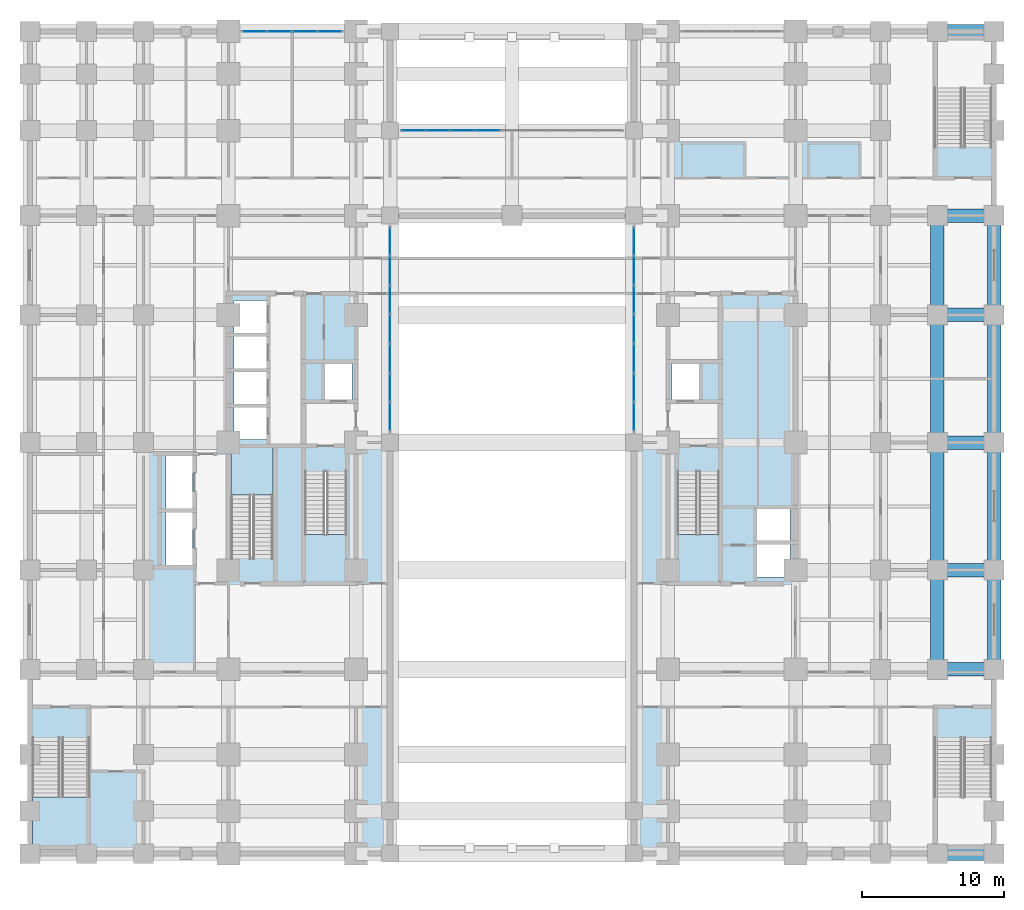
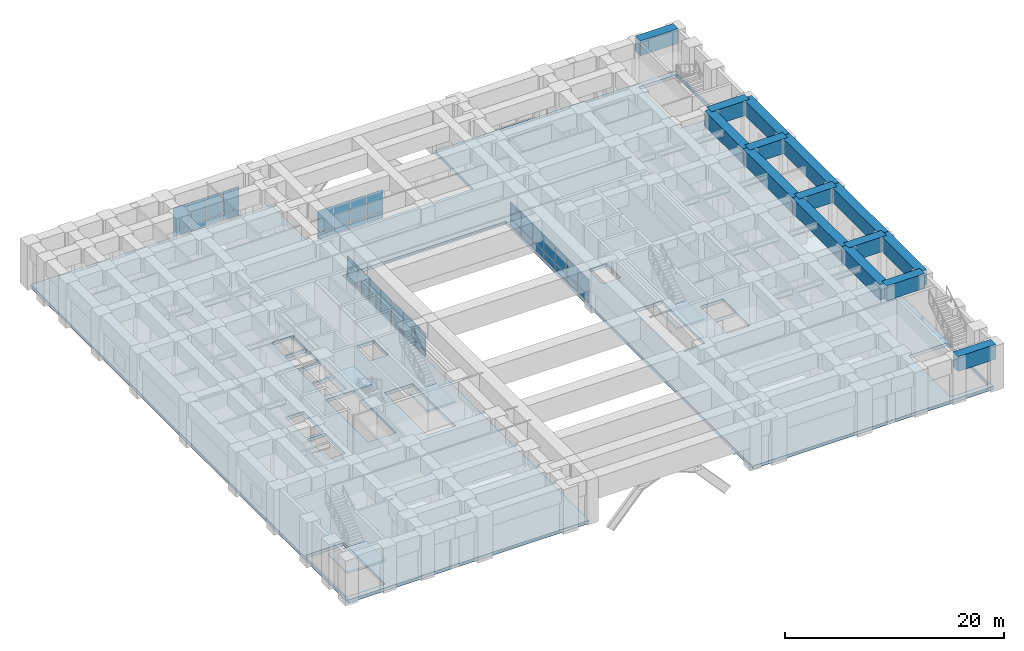
# One storey, part 9 of 24: 44 plates, 15 beams, 5 slabs, 8 elements without a shape of their own.
"""IFC4 building model written with IfcOpenShell, lengths in metres."""

from ifc_helpers import new_model, si_unit, direction, frame, origin, origin_2d, place, context, subcontext, project, spatial, polyline, rectangle, outline, extrude, material, layer, layer_set, material_profile, profile_set, type_object, element, aggregate, save


model = new_model("IFC4")

# Units and contexts
model_context = context("Model", 3, precision=1e-05, world=origin(), true_north=direction((0.0, 1.0)))
body_context = subcontext(model_context, "Body", "Model", "MODEL_VIEW")
ifc_project = project(units=[si_unit("LENGTHUNIT", "METRE"), si_unit("AREAUNIT", "SQUARE_METRE"), si_unit("VOLUMEUNIT", "CUBIC_METRE"), si_unit("PLANEANGLEUNIT", "RADIAN"), si_unit("MASSUNIT", "GRAM", prefix="KILO")], contexts=[model_context])

# Site, building, storey
site_placement = place(None, origin())
site = spatial("IfcSite", under=ifc_project, at=site_placement, CompositionType="ELEMENT")
building_placement = place(site_placement, origin())
building = spatial("IfcBuilding", under=site, at=building_placement, Name="Zulmaris Gate Convention Tower", CompositionType="ELEMENT")
storey_placement = place(building_placement, frame((0.0, 0.0, 16.320068359375)))
storey = spatial("IfcBuildingStorey", under=building, at=storey_placement, Name="L03", CompositionType="ELEMENT", Elevation=16.320068359375)

# Beams
ifc_material_1 = material(Name="Concrete C80/95", Category="concrete")
ifc_material_profile = material_profile(ifc_material_1, rectangle(XDim=0.949951171875, YDim=1.64990234375, at=origin_2d()), Name="RC TRANSFER 950x1650")
ifc_profile_set = profile_set([ifc_material_profile], Name="Concrete C80/95")
beam_type = type_object("IfcBeamType", Name="BM-XFER1650", PredefinedType="BEAM", material=ifc_profile_set)
for number, where, z_axis, x_axis, name in (
    (1, (30.0, -29.0, 4.1650390625), (1.0, 0.0, 0.0), (0.0, 1.0, 0.0), "L03 Beam XFRNGX-L03--29.0-13"),
    (2, (30.0, 29.0, 4.1650390625), (1.0, 0.0, 0.0), (0.0, 1.0, 0.0), "L03 Beam XFRNGX-L03-+29.0-13"),
):
    element("IfcBeam", number, at=place(storey_placement, frame(where, z_axis=z_axis, x_axis=x_axis)), inside=storey, type_object=beam_type, Name=name, PredefinedType="BEAM", context=body_context, shape_type="SweptSolid", body=[
        extrude(rectangle(XDim=0.949951171875, YDim=1.64990234375, at=origin_2d()), origin(), (0.0, 0.0, 1.0), 4.0),
    ])
beam_1_placement = place(storey_placement, frame((34.0, -16.0, 4.1650390625), z_axis=(0.0, 1.0, 0.0), x_axis=(-1.0, 0.0, 0.0)))
element("IfcBeam", 3, at=beam_1_placement, inside=storey, type_object=beam_type, Name="L03 Beam XFRNGY-L03-+34.0-4", PredefinedType="BEAM", context=body_context, shape_type="SweptSolid", body=[
    extrude(rectangle(XDim=0.949951171875, YDim=1.64990234375, at=origin_2d()), origin(), (0.0, 0.0, 1.0), 7.0),
])
for number, where, z_axis, x_axis, name in (
    (4, (34.0, -9.0, 4.1650390625), (0.0, 1.0, 0.0), (-1.0, 0.0, 0.0), "L03 Beam XFRNGY-L03-+34.0-5"),
    (5, (34.0, 0.0, 4.1650390625), (0.0, 1.0, 0.0), (-1.0, 0.0, 0.0), "L03 Beam XFRNGY-L03-+34.0-6"),
):
    element("IfcBeam", number, at=place(storey_placement, frame(where, z_axis=z_axis, x_axis=x_axis)), inside=storey, type_object=beam_type, Name=name, PredefinedType="BEAM", context=body_context, shape_type="SweptSolid", body=[
        extrude(rectangle(XDim=0.949951171875, YDim=1.64990234375, at=origin_2d()), origin(), (0.0, 0.0, 1.0), 9.0),
    ])
for number, where, z_axis, x_axis, name in (
    (6, (34.0, 9.0, 4.1650390625), (0.0, 1.0, 0.0), (-1.0, 0.0, 0.0), "L03 Beam XFRNGY-L03-+34.0-7"),
    (7, (30.0, -16.0, 4.1650390625), (0.0, 1.0, 0.0), (-1.0, 0.0, 0.0), "L03 Beam XFSPY-L03-+30.0-2"),
):
    element("IfcBeam", number, at=place(storey_placement, frame(where, z_axis=z_axis, x_axis=x_axis)), inside=storey, type_object=beam_type, Name=name, PredefinedType="BEAM", context=body_context, shape_type="SweptSolid", body=[
        extrude(rectangle(XDim=0.949951171875, YDim=1.64990234375, at=origin_2d()), origin(), (0.0, 0.0, 1.0), 7.0),
    ])
for number, where, z_axis, x_axis, name in (
    (8, (30.0, -9.0, 4.1650390625), (0.0, 1.0, 0.0), (-1.0, 0.0, 0.0), "L03 Beam XFSPY-L03-+30.0-3"),
    (9, (30.0, 0.0, 4.1650390625), (0.0, 1.0, 0.0), (-1.0, 0.0, 0.0), "L03 Beam XFSPY-L03-+30.0-4"),
):
    element("IfcBeam", number, at=place(storey_placement, frame(where, z_axis=z_axis, x_axis=x_axis)), inside=storey, type_object=beam_type, Name=name, PredefinedType="BEAM", context=body_context, shape_type="SweptSolid", body=[
        extrude(rectangle(XDim=0.949951171875, YDim=1.64990234375, at=origin_2d()), origin(), (0.0, 0.0, 1.0), 9.0),
    ])
beam_2_placement = place(storey_placement, frame((30.0, 9.0, 4.1650390625), z_axis=(0.0, 1.0, 0.0), x_axis=(-1.0, 0.0, 0.0)))
element("IfcBeam", 10, at=beam_2_placement, inside=storey, type_object=beam_type, Name="L03 Beam XFSPY-L03-+30.0-5", PredefinedType="BEAM", context=body_context, shape_type="SweptSolid", body=[
    extrude(rectangle(XDim=0.949951171875, YDim=1.64990234375, at=origin_2d()), origin(), (0.0, 0.0, 1.0), 7.0),
])
for number, where, z_axis, x_axis, name in (
    (11, (30.0, -16.0, 4.1650390625), (1.0, 0.0, 0.0), (0.0, 1.0, 0.0), "L03 Beam XFSPX-L03--16.0-11"),
    (12, (30.0, -9.0, 4.1650390625), (1.0, 0.0, 0.0), (0.0, 1.0, 0.0), "L03 Beam XFSPX-L03--9.0-11"),
    (13, (30.0, 0.0, 4.1650390625), (1.0, 0.0, 0.0), (0.0, 1.0, 0.0), "L03 Beam XFSPX-L03-+0.0-11"),
    (14, (30.0, 9.0, 4.1650390625), (1.0, 0.0, 0.0), (0.0, 1.0, 0.0), "L03 Beam XFSPX-L03-+9.0-11"),
    (15, (30.0, 16.0, 4.1650390625), (1.0, 0.0, 0.0), (0.0, 1.0, 0.0), "L03 Beam XFSPX-L03-+16.0-12"),
):
    element("IfcBeam", number, at=place(storey_placement, frame(where, z_axis=z_axis, x_axis=x_axis)), inside=storey, type_object=beam_type, Name=name, PredefinedType="BEAM", context=body_context, shape_type="SweptSolid", body=[
        extrude(rectangle(XDim=0.949951171875, YDim=1.64990234375, at=origin_2d()), origin(), (0.0, 0.0, 1.0), 4.0),
    ])

# Curtain wall, plates
ifc_material_2 = material(Name="Anodised Aluminium", Category="aluminium")
curtain_wall_type_1 = type_object("IfcCurtainWallType", Name="CW-02", PredefinedType="NOTDEFINED", material=ifc_material_2)
curtain_wall_1_placement = place(storey_placement, origin())
curtain_wall_1 = element("IfcCurtainWall", 16, at=curtain_wall_1_placement, inside=storey, type_object=curtain_wall_type_1, Name="CW-02 CW02-L03-WL_0", PredefinedType="NOTDEFINED")
ifc_material_3 = material(Name="Low-E Double Glazing", Category="glass")
ifc_layer_1 = layer(ifc_material_3, 0.028076171875, Name="Low-E Double Glazing")
ifc_layer_set_1 = layer_set([ifc_layer_1], Name="Low-E Double Glazing")
plate_type_1 = type_object("IfcPlateType", Name="CW-02-VISION", PredefinedType="CURTAIN_PANEL", material=ifc_layer_set_1)
plate_1_placement = place(storey_placement, frame((-8.60009765625, 1.81689453125, 0.08984375), z_axis=(0.0, 0.0, 1.0), x_axis=(0.0, 1.0, 0.0)))
plate_1 = element("IfcPlate", 17, at=plate_1_placement, type_object=plate_type_1, Name="CW-02 panel 1.1", PredefinedType="CURTAIN_PANEL", context=body_context, shape_type="SweptSolid", body=[
    extrude(rectangle(XDim=1.93359375, YDim=0.028076171875, at=origin_2d()), origin(), (0.0, 0.0, 1.0), 0.715087890625),
])
plate_2_placement = place(storey_placement, frame((-8.60009765625, 1.81689453125, 0.89501953125), z_axis=(0.0, 0.0, 1.0), x_axis=(0.0, 1.0, 0.0)))
plate_2 = element("IfcPlate", 18, at=plate_2_placement, type_object=plate_type_1, Name="CW-02 panel 1.2", PredefinedType="CURTAIN_PANEL", context=body_context, shape_type="SweptSolid", body=[
    extrude(rectangle(XDim=1.93359375, YDim=0.028076171875, at=origin_2d()), origin(), (0.0, 0.0, 1.0), 1.796875),
])
plate_3_placement = place(storey_placement, frame((-8.60009765625, 3.86279296875, 0.08984375), z_axis=(0.0, 0.0, 1.0), x_axis=(0.0, 1.0, 0.0)))
plate_3 = element("IfcPlate", 19, at=plate_3_placement, type_object=plate_type_1, Name="CW-02 panel 2.1", PredefinedType="CURTAIN_PANEL", context=body_context, shape_type="SweptSolid", body=[
    extrude(rectangle(XDim=1.978515625, YDim=0.028076171875, at=origin_2d()), origin(), (0.0, 0.0, 1.0), 0.715087890625),
])
plate_4_placement = place(storey_placement, frame((-8.60009765625, 3.86279296875, 0.89501953125), z_axis=(0.0, 0.0, 1.0), x_axis=(0.0, 1.0, 0.0)))
plate_4 = element("IfcPlate", 20, at=plate_4_placement, type_object=plate_type_1, Name="CW-02 panel 2.2", PredefinedType="CURTAIN_PANEL", context=body_context, shape_type="SweptSolid", body=[
    extrude(rectangle(XDim=1.978515625, YDim=0.028076171875, at=origin_2d()), origin(), (0.0, 0.0, 1.0), 1.796875),
])
plate_5_placement = place(storey_placement, frame((-8.60009765625, 5.931396484375, 0.08984375), z_axis=(0.0, 0.0, 1.0), x_axis=(0.0, 1.0, 0.0)))
plate_5 = element("IfcPlate", 21, at=plate_5_placement, type_object=plate_type_1, Name="CW-02 panel 3.1", PredefinedType="CURTAIN_PANEL", context=body_context, shape_type="SweptSolid", body=[
    extrude(rectangle(XDim=1.978515625, YDim=0.028076171875, at=origin_2d()), origin(), (0.0, 0.0, 1.0), 0.715087890625),
])
plate_6_placement = place(storey_placement, frame((-8.60009765625, 5.931396484375, 0.89501953125), z_axis=(0.0, 0.0, 1.0), x_axis=(0.0, 1.0, 0.0)))
plate_6 = element("IfcPlate", 22, at=plate_6_placement, type_object=plate_type_1, Name="CW-02 panel 3.2", PredefinedType="CURTAIN_PANEL", context=body_context, shape_type="SweptSolid", body=[
    extrude(rectangle(XDim=1.978515625, YDim=0.028076171875, at=origin_2d()), origin(), (0.0, 0.0, 1.0), 1.796875),
])
plate_7_placement = place(storey_placement, frame((-8.60009765625, 8.0, 0.08984375), z_axis=(0.0, 0.0, 1.0), x_axis=(0.0, 1.0, 0.0)))
plate_7 = element("IfcPlate", 23, at=plate_7_placement, type_object=plate_type_1, Name="CW-02 panel 4.1", PredefinedType="CURTAIN_PANEL", context=body_context, shape_type="SweptSolid", body=[
    extrude(rectangle(XDim=1.978515625, YDim=0.028076171875, at=origin_2d()), origin(), (0.0, 0.0, 1.0), 0.715087890625),
])
plate_8_placement = place(storey_placement, frame((-8.60009765625, 8.0, 0.89501953125), z_axis=(0.0, 0.0, 1.0), x_axis=(0.0, 1.0, 0.0)))
plate_8 = element("IfcPlate", 24, at=plate_8_placement, type_object=plate_type_1, Name="CW-02 panel 4.2", PredefinedType="CURTAIN_PANEL", context=body_context, shape_type="SweptSolid", body=[
    extrude(rectangle(XDim=1.978515625, YDim=0.028076171875, at=origin_2d()), origin(), (0.0, 0.0, 1.0), 1.796875),
])
plate_9_placement = place(storey_placement, frame((-8.60009765625, 10.068603515625, 0.08984375), z_axis=(0.0, 0.0, 1.0), x_axis=(0.0, 1.0, 0.0)))
plate_9 = element("IfcPlate", 25, at=plate_9_placement, type_object=plate_type_1, Name="CW-02 panel 5.1", PredefinedType="CURTAIN_PANEL", context=body_context, shape_type="SweptSolid", body=[
    extrude(rectangle(XDim=1.978515625, YDim=0.028076171875, at=origin_2d()), origin(), (0.0, 0.0, 1.0), 0.715087890625),
])
plate_10_placement = place(storey_placement, frame((-8.60009765625, 10.068603515625, 0.89501953125), z_axis=(0.0, 0.0, 1.0), x_axis=(0.0, 1.0, 0.0)))
plate_10 = element("IfcPlate", 26, at=plate_10_placement, type_object=plate_type_1, Name="CW-02 panel 5.2", PredefinedType="CURTAIN_PANEL", context=body_context, shape_type="SweptSolid", body=[
    extrude(rectangle(XDim=1.978515625, YDim=0.028076171875, at=origin_2d()), origin(), (0.0, 0.0, 1.0), 1.796875),
])
plate_11_placement = place(storey_placement, frame((-8.60009765625, 12.13720703125, 0.08984375), z_axis=(0.0, 0.0, 1.0), x_axis=(0.0, 1.0, 0.0)))
plate_11 = element("IfcPlate", 27, at=plate_11_placement, type_object=plate_type_1, Name="CW-02 panel 6.1", PredefinedType="CURTAIN_PANEL", context=body_context, shape_type="SweptSolid", body=[
    extrude(rectangle(XDim=1.978515625, YDim=0.028076171875, at=origin_2d()), origin(), (0.0, 0.0, 1.0), 0.715087890625),
])
plate_12_placement = place(storey_placement, frame((-8.60009765625, 12.13720703125, 0.89501953125), z_axis=(0.0, 0.0, 1.0), x_axis=(0.0, 1.0, 0.0)))
plate_12 = element("IfcPlate", 28, at=plate_12_placement, type_object=plate_type_1, Name="CW-02 panel 6.2", PredefinedType="CURTAIN_PANEL", context=body_context, shape_type="SweptSolid", body=[
    extrude(rectangle(XDim=1.978515625, YDim=0.028076171875, at=origin_2d()), origin(), (0.0, 0.0, 1.0), 1.796875),
])
plate_13_placement = place(storey_placement, frame((-8.60009765625, 14.18310546875, 0.08984375), z_axis=(0.0, 0.0, 1.0), x_axis=(0.0, 1.0, 0.0)))
plate_13 = element("IfcPlate", 29, at=plate_13_placement, type_object=plate_type_1, Name="CW-02 panel 7.1", PredefinedType="CURTAIN_PANEL", context=body_context, shape_type="SweptSolid", body=[
    extrude(rectangle(XDim=1.93359375, YDim=0.028076171875, at=origin_2d()), origin(), (0.0, 0.0, 1.0), 0.715087890625),
])
plate_14_placement = place(storey_placement, frame((-8.60009765625, 14.18310546875, 0.89501953125), z_axis=(0.0, 0.0, 1.0), x_axis=(0.0, 1.0, 0.0)))
plate_14 = element("IfcPlate", 30, at=plate_14_placement, type_object=plate_type_1, Name="CW-02 panel 7.2", PredefinedType="CURTAIN_PANEL", context=body_context, shape_type="SweptSolid", body=[
    extrude(rectangle(XDim=1.93359375, YDim=0.028076171875, at=origin_2d()), origin(), (0.0, 0.0, 1.0), 1.796875),
])
aggregate(curtain_wall_1, [plate_1, plate_2, plate_3, plate_4, plate_5, plate_6, plate_7, plate_8, plate_9, plate_10, plate_11, plate_12, plate_13, plate_14])

curtain_wall_2_placement = place(storey_placement, origin())
curtain_wall_2 = element("IfcCurtainWall", 31, at=curtain_wall_2_placement, inside=storey, type_object=curtain_wall_type_1, Name="CW-02 CW02-L03-EL_0", PredefinedType="NOTDEFINED")
plate_15_placement = place(storey_placement, frame((8.60009765625, 14.18310546875, 0.08984375), z_axis=(0.0, 0.0, 1.0), x_axis=(0.0, -1.0, 0.0)))
plate_15 = element("IfcPlate", 32, at=plate_15_placement, type_object=plate_type_1, Name="CW-02 panel 1.1", PredefinedType="CURTAIN_PANEL", context=body_context, shape_type="SweptSolid", body=[
    extrude(rectangle(XDim=1.93359375, YDim=0.028076171875, at=origin_2d()), origin(), (0.0, 0.0, 1.0), 0.715087890625),
])
plate_16_placement = place(storey_placement, frame((8.60009765625, 14.18310546875, 0.89501953125), z_axis=(0.0, 0.0, 1.0), x_axis=(0.0, -1.0, 0.0)))
plate_16 = element("IfcPlate", 33, at=plate_16_placement, type_object=plate_type_1, Name="CW-02 panel 1.2", PredefinedType="CURTAIN_PANEL", context=body_context, shape_type="SweptSolid", body=[
    extrude(rectangle(XDim=1.93359375, YDim=0.028076171875, at=origin_2d()), origin(), (0.0, 0.0, 1.0), 1.796875),
])
plate_17_placement = place(storey_placement, frame((8.60009765625, 12.13720703125, 0.08984375), z_axis=(0.0, 0.0, 1.0), x_axis=(0.0, -1.0, 0.0)))
plate_17 = element("IfcPlate", 34, at=plate_17_placement, type_object=plate_type_1, Name="CW-02 panel 2.1", PredefinedType="CURTAIN_PANEL", context=body_context, shape_type="SweptSolid", body=[
    extrude(rectangle(XDim=1.978515625, YDim=0.028076171875, at=origin_2d()), origin(), (0.0, 0.0, 1.0), 0.715087890625),
])
plate_18_placement = place(storey_placement, frame((8.60009765625, 12.13720703125, 0.89501953125), z_axis=(0.0, 0.0, 1.0), x_axis=(0.0, -1.0, 0.0)))
plate_18 = element("IfcPlate", 35, at=plate_18_placement, type_object=plate_type_1, Name="CW-02 panel 2.2", PredefinedType="CURTAIN_PANEL", context=body_context, shape_type="SweptSolid", body=[
    extrude(rectangle(XDim=1.978515625, YDim=0.028076171875, at=origin_2d()), origin(), (0.0, 0.0, 1.0), 1.796875),
])
plate_19_placement = place(storey_placement, frame((8.60009765625, 10.068603515625, 0.08984375), z_axis=(0.0, 0.0, 1.0), x_axis=(0.0, -1.0, 0.0)))
plate_19 = element("IfcPlate", 36, at=plate_19_placement, type_object=plate_type_1, Name="CW-02 panel 3.1", PredefinedType="CURTAIN_PANEL", context=body_context, shape_type="SweptSolid", body=[
    extrude(rectangle(XDim=1.978515625, YDim=0.028076171875, at=origin_2d()), origin(), (0.0, 0.0, 1.0), 0.715087890625),
])
plate_20_placement = place(storey_placement, frame((8.60009765625, 10.068603515625, 0.89501953125), z_axis=(0.0, 0.0, 1.0), x_axis=(0.0, -1.0, 0.0)))
plate_20 = element("IfcPlate", 37, at=plate_20_placement, type_object=plate_type_1, Name="CW-02 panel 3.2", PredefinedType="CURTAIN_PANEL", context=body_context, shape_type="SweptSolid", body=[
    extrude(rectangle(XDim=1.978515625, YDim=0.028076171875, at=origin_2d()), origin(), (0.0, 0.0, 1.0), 1.796875),
])
plate_21_placement = place(storey_placement, frame((8.60009765625, 8.0, 0.08984375), z_axis=(0.0, 0.0, 1.0), x_axis=(0.0, -1.0, 0.0)))
plate_21 = element("IfcPlate", 38, at=plate_21_placement, type_object=plate_type_1, Name="CW-02 panel 4.1", PredefinedType="CURTAIN_PANEL", context=body_context, shape_type="SweptSolid", body=[
    extrude(rectangle(XDim=1.978515625, YDim=0.028076171875, at=origin_2d()), origin(), (0.0, 0.0, 1.0), 0.715087890625),
])
plate_22_placement = place(storey_placement, frame((8.60009765625, 8.0, 0.89501953125), z_axis=(0.0, 0.0, 1.0), x_axis=(0.0, -1.0, 0.0)))
plate_22 = element("IfcPlate", 39, at=plate_22_placement, type_object=plate_type_1, Name="CW-02 panel 4.2", PredefinedType="CURTAIN_PANEL", context=body_context, shape_type="SweptSolid", body=[
    extrude(rectangle(XDim=1.978515625, YDim=0.028076171875, at=origin_2d()), origin(), (0.0, 0.0, 1.0), 1.796875),
])
plate_23_placement = place(storey_placement, frame((8.60009765625, 5.931396484375, 0.08984375), z_axis=(0.0, 0.0, 1.0), x_axis=(0.0, -1.0, 0.0)))
plate_23 = element("IfcPlate", 40, at=plate_23_placement, type_object=plate_type_1, Name="CW-02 panel 5.1", PredefinedType="CURTAIN_PANEL", context=body_context, shape_type="SweptSolid", body=[
    extrude(rectangle(XDim=1.978515625, YDim=0.028076171875, at=origin_2d()), origin(), (0.0, 0.0, 1.0), 0.715087890625),
])
plate_24_placement = place(storey_placement, frame((8.60009765625, 5.931396484375, 0.89501953125), z_axis=(0.0, 0.0, 1.0), x_axis=(0.0, -1.0, 0.0)))
plate_24 = element("IfcPlate", 41, at=plate_24_placement, type_object=plate_type_1, Name="CW-02 panel 5.2", PredefinedType="CURTAIN_PANEL", context=body_context, shape_type="SweptSolid", body=[
    extrude(rectangle(XDim=1.978515625, YDim=0.028076171875, at=origin_2d()), origin(), (0.0, 0.0, 1.0), 1.796875),
])
plate_25_placement = place(storey_placement, frame((8.60009765625, 3.86279296875, 0.08984375), z_axis=(0.0, 0.0, 1.0), x_axis=(0.0, -1.0, 0.0)))
plate_25 = element("IfcPlate", 42, at=plate_25_placement, type_object=plate_type_1, Name="CW-02 panel 6.1", PredefinedType="CURTAIN_PANEL", context=body_context, shape_type="SweptSolid", body=[
    extrude(rectangle(XDim=1.978515625, YDim=0.028076171875, at=origin_2d()), origin(), (0.0, 0.0, 1.0), 0.715087890625),
])
plate_26_placement = place(storey_placement, frame((8.60009765625, 3.86279296875, 0.89501953125), z_axis=(0.0, 0.0, 1.0), x_axis=(0.0, -1.0, 0.0)))
plate_26 = element("IfcPlate", 43, at=plate_26_placement, type_object=plate_type_1, Name="CW-02 panel 6.2", PredefinedType="CURTAIN_PANEL", context=body_context, shape_type="SweptSolid", body=[
    extrude(rectangle(XDim=1.978515625, YDim=0.028076171875, at=origin_2d()), origin(), (0.0, 0.0, 1.0), 1.796875),
])
plate_27_placement = place(storey_placement, frame((8.60009765625, 1.81689453125, 0.08984375), z_axis=(0.0, 0.0, 1.0), x_axis=(0.0, -1.0, 0.0)))
plate_27 = element("IfcPlate", 44, at=plate_27_placement, type_object=plate_type_1, Name="CW-02 panel 7.1", PredefinedType="CURTAIN_PANEL", context=body_context, shape_type="SweptSolid", body=[
    extrude(rectangle(XDim=1.93359375, YDim=0.028076171875, at=origin_2d()), origin(), (0.0, 0.0, 1.0), 0.715087890625),
])
plate_28_placement = place(storey_placement, frame((8.60009765625, 1.81689453125, 0.89501953125), z_axis=(0.0, 0.0, 1.0), x_axis=(0.0, -1.0, 0.0)))
plate_28 = element("IfcPlate", 45, at=plate_28_placement, type_object=plate_type_1, Name="CW-02 panel 7.2", PredefinedType="CURTAIN_PANEL", context=body_context, shape_type="SweptSolid", body=[
    extrude(rectangle(XDim=1.93359375, YDim=0.028076171875, at=origin_2d()), origin(), (0.0, 0.0, 1.0), 1.796875),
])
aggregate(curtain_wall_2, [plate_15, plate_16, plate_17, plate_18, plate_19, plate_20, plate_21, plate_22, plate_23, plate_24, plate_25, plate_26, plate_27, plate_28])

curtain_wall_type_2 = type_object("IfcCurtainWallType", Name="CW-03", PredefinedType="NOTDEFINED", material=ifc_material_2)
curtain_wall_3_placement = place(storey_placement, origin())
curtain_wall_3 = element("IfcCurtainWall", 46, at=curtain_wall_3_placement, inside=storey, type_object=curtain_wall_type_2, Name="CW-03 CW03-L03-N-20_0", PredefinedType="NOTDEFINED")
ifc_layer_2 = layer(ifc_material_3, 0.028076171875, Name="Low-E Double Glazing")
ifc_layer_set_2 = layer_set([ifc_layer_2], Name="Low-E Double Glazing")
plate_type_2 = type_object("IfcPlateType", Name="CW-03-VISION", PredefinedType="CURTAIN_PANEL", material=ifc_layer_set_2)
plate_29_placement = place(storey_placement, frame((-12.86376953125, 29.0, 0.0751953125), z_axis=(0.0, 0.0, 1.0), x_axis=(-1.0, 0.0, 0.0)))
plate_29 = element("IfcPlate", 47, at=plate_29_placement, type_object=plate_type_2, Name="CW-03 panel 1.1", PredefinedType="CURTAIN_PANEL", context=body_context, shape_type="SweptSolid", body=[
    extrude(rectangle(XDim=1.657470703125, YDim=0.028076171875, at=origin_2d()), origin(), (0.0, 0.0, 1.0), 0.737548828125),
])
plate_30_placement = place(storey_placement, frame((-12.86376953125, 29.0, 0.8876953125), z_axis=(0.0, 0.0, 1.0), x_axis=(-1.0, 0.0, 0.0)))
plate_30 = element("IfcPlate", 48, at=plate_30_placement, type_object=plate_type_2, Name="CW-03 panel 1.2", PredefinedType="CURTAIN_PANEL", context=body_context, shape_type="SweptSolid", body=[
    extrude(rectangle(XDim=1.657470703125, YDim=0.028076171875, at=origin_2d()), origin(), (0.0, 0.0, 1.0), 2.369384765625),
])
plate_31_placement = place(storey_placement, frame((-14.614990234375, 29.0, 0.0751953125), z_axis=(0.0, 0.0, 1.0), x_axis=(-1.0, 0.0, 0.0)))
plate_31 = element("IfcPlate", 49, at=plate_31_placement, type_object=plate_type_2, Name="CW-03 panel 2.1", PredefinedType="CURTAIN_PANEL", context=body_context, shape_type="SweptSolid", body=[
    extrude(rectangle(XDim=1.695068359375, YDim=0.028076171875, at=origin_2d()), origin(), (0.0, 0.0, 1.0), 0.737548828125),
])
plate_32_placement = place(storey_placement, frame((-14.614990234375, 29.0, 0.8876953125), z_axis=(0.0, 0.0, 1.0), x_axis=(-1.0, 0.0, 0.0)))
plate_32 = element("IfcPlate", 50, at=plate_32_placement, type_object=plate_type_2, Name="CW-03 panel 2.2", PredefinedType="CURTAIN_PANEL", context=body_context, shape_type="SweptSolid", body=[
    extrude(rectangle(XDim=1.695068359375, YDim=0.028076171875, at=origin_2d()), origin(), (0.0, 0.0, 1.0), 2.369384765625),
])
plate_33_placement = place(storey_placement, frame((-16.385009765625, 29.0, 0.0751953125), z_axis=(0.0, 0.0, 1.0), x_axis=(-1.0, 0.0, 0.0)))
plate_33 = element("IfcPlate", 51, at=plate_33_placement, type_object=plate_type_2, Name="CW-03 panel 3.1", PredefinedType="CURTAIN_PANEL", context=body_context, shape_type="SweptSolid", body=[
    extrude(rectangle(XDim=1.695068359375, YDim=0.028076171875, at=origin_2d()), origin(), (0.0, 0.0, 1.0), 0.737548828125),
])
plate_34_placement = place(storey_placement, frame((-16.385009765625, 29.0, 0.8876953125), z_axis=(0.0, 0.0, 1.0), x_axis=(-1.0, 0.0, 0.0)))
plate_34 = element("IfcPlate", 52, at=plate_34_placement, type_object=plate_type_2, Name="CW-03 panel 3.2", PredefinedType="CURTAIN_PANEL", context=body_context, shape_type="SweptSolid", body=[
    extrude(rectangle(XDim=1.695068359375, YDim=0.028076171875, at=origin_2d()), origin(), (0.0, 0.0, 1.0), 2.369384765625),
])
plate_35_placement = place(storey_placement, frame((-18.13623046875, 29.0, 0.0751953125), z_axis=(0.0, 0.0, 1.0), x_axis=(-1.0, 0.0, 0.0)))
plate_35 = element("IfcPlate", 53, at=plate_35_placement, type_object=plate_type_2, Name="CW-03 panel 4.1", PredefinedType="CURTAIN_PANEL", context=body_context, shape_type="SweptSolid", body=[
    extrude(rectangle(XDim=1.657470703125, YDim=0.028076171875, at=origin_2d()), origin(), (0.0, 0.0, 1.0), 0.737548828125),
])
plate_36_placement = place(storey_placement, frame((-18.13623046875, 29.0, 0.8876953125), z_axis=(0.0, 0.0, 1.0), x_axis=(-1.0, 0.0, 0.0)))
plate_36 = element("IfcPlate", 54, at=plate_36_placement, type_object=plate_type_2, Name="CW-03 panel 4.2", PredefinedType="CURTAIN_PANEL", context=body_context, shape_type="SweptSolid", body=[
    extrude(rectangle(XDim=1.657470703125, YDim=0.028076171875, at=origin_2d()), origin(), (0.0, 0.0, 1.0), 2.369384765625),
])
aggregate(curtain_wall_3, [plate_29, plate_30, plate_31, plate_32, plate_33, plate_34, plate_35, plate_36])

curtain_wall_4_placement = place(storey_placement, origin())
curtain_wall_4 = element("IfcCurtainWall", 55, at=curtain_wall_4_placement, inside=storey, type_object=curtain_wall_type_2, Name="CW-03 CW03-L03-NARCH_0", PredefinedType="NOTDEFINED")
plate_37_placement = place(storey_placement, frame((-1.7421875, 22.0, 0.0751953125), z_axis=(0.0, 0.0, 1.0), x_axis=(-1.0, 0.0, 0.0)))
plate_37 = element("IfcPlate", 56, at=plate_37_placement, type_object=plate_type_2, Name="CW-03 panel 6.1", PredefinedType="CURTAIN_PANEL", context=body_context, shape_type="SweptSolid", body=[
    extrude(rectangle(XDim=1.667236328125, YDim=0.028076171875, at=origin_2d()), origin(), (0.0, 0.0, 1.0), 0.737548828125),
])
plate_38_placement = place(storey_placement, frame((-1.7421875, 22.0, 0.8876953125), z_axis=(0.0, 0.0, 1.0), x_axis=(-1.0, 0.0, 0.0)))
plate_38 = element("IfcPlate", 57, at=plate_38_placement, type_object=plate_type_2, Name="CW-03 panel 6.2", PredefinedType="CURTAIN_PANEL", context=body_context, shape_type="SweptSolid", body=[
    extrude(rectangle(XDim=1.667236328125, YDim=0.028076171875, at=origin_2d()), origin(), (0.0, 0.0, 1.0), 2.369384765625),
])
plate_39_placement = place(storey_placement, frame((-3.484375, 22.0, 0.0751953125), z_axis=(0.0, 0.0, 1.0), x_axis=(-1.0, 0.0, 0.0)))
plate_39 = element("IfcPlate", 58, at=plate_39_placement, type_object=plate_type_2, Name="CW-03 panel 7.1", PredefinedType="CURTAIN_PANEL", context=body_context, shape_type="SweptSolid", body=[
    extrude(rectangle(XDim=1.667236328125, YDim=0.028076171875, at=origin_2d()), origin(), (0.0, 0.0, 1.0), 0.737548828125),
])
plate_40_placement = place(storey_placement, frame((-3.484375, 22.0, 0.8876953125), z_axis=(0.0, 0.0, 1.0), x_axis=(-1.0, 0.0, 0.0)))
plate_40 = element("IfcPlate", 59, at=plate_40_placement, type_object=plate_type_2, Name="CW-03 panel 7.2", PredefinedType="CURTAIN_PANEL", context=body_context, shape_type="SweptSolid", body=[
    extrude(rectangle(XDim=1.667236328125, YDim=0.028076171875, at=origin_2d()), origin(), (0.0, 0.0, 1.0), 2.369384765625),
])
plate_41_placement = place(storey_placement, frame((-5.2265625, 22.0, 0.0751953125), z_axis=(0.0, 0.0, 1.0), x_axis=(-1.0, 0.0, 0.0)))
plate_41 = element("IfcPlate", 60, at=plate_41_placement, type_object=plate_type_2, Name="CW-03 panel 8.1", PredefinedType="CURTAIN_PANEL", context=body_context, shape_type="SweptSolid", body=[
    extrude(rectangle(XDim=1.667236328125, YDim=0.028076171875, at=origin_2d()), origin(), (0.0, 0.0, 1.0), 0.737548828125),
])
plate_42_placement = place(storey_placement, frame((-5.2265625, 22.0, 0.8876953125), z_axis=(0.0, 0.0, 1.0), x_axis=(-1.0, 0.0, 0.0)))
plate_42 = element("IfcPlate", 61, at=plate_42_placement, type_object=plate_type_2, Name="CW-03 panel 8.2", PredefinedType="CURTAIN_PANEL", context=body_context, shape_type="SweptSolid", body=[
    extrude(rectangle(XDim=1.667236328125, YDim=0.028076171875, at=origin_2d()), origin(), (0.0, 0.0, 1.0), 2.369384765625),
])
plate_43_placement = place(storey_placement, frame((-6.9501953125, 22.0, 0.0751953125), z_axis=(0.0, 0.0, 1.0), x_axis=(-1.0, 0.0, 0.0)))
plate_43 = element("IfcPlate", 62, at=plate_43_placement, type_object=plate_type_2, Name="CW-03 panel 9.1", PredefinedType="CURTAIN_PANEL", context=body_context, shape_type="SweptSolid", body=[
    extrude(rectangle(XDim=1.629638671875, YDim=0.028076171875, at=origin_2d()), origin(), (0.0, 0.0, 1.0), 0.737548828125),
])
plate_44_placement = place(storey_placement, frame((-6.9501953125, 22.0, 0.8876953125), z_axis=(0.0, 0.0, 1.0), x_axis=(-1.0, 0.0, 0.0)))
plate_44 = element("IfcPlate", 63, at=plate_44_placement, type_object=plate_type_2, Name="CW-03 panel 9.2", PredefinedType="CURTAIN_PANEL", context=body_context, shape_type="SweptSolid", body=[
    extrude(rectangle(XDim=1.629638671875, YDim=0.028076171875, at=origin_2d()), origin(), (0.0, 0.0, 1.0), 2.369384765625),
])
aggregate(curtain_wall_4, [plate_37, plate_38, plate_39, plate_40, plate_41, plate_42, plate_43, plate_44])

# Slab
ifc_material_4 = material(Name="Concrete C50/60", Category="concrete")
ifc_layer_3 = layer(ifc_material_4, 0.35009765625, Name="Concrete C50/60")
ifc_layer_set_3 = layer_set([ifc_layer_3], Name="Concrete C50/60")
slab_type_1 = type_object("IfcSlabType", Name="SL-FLR-350", PredefinedType="FLOOR", material=ifc_layer_set_3)
slab_1_placement = place(storey_placement, frame((0.0, 0.0, -0.349853515625)))
element("IfcSlab", 64, at=slab_1_placement, inside=storey, type_object=slab_type_1, Name="L03 Convention Podium Floor Slab", PredefinedType="FLOOR", context=body_context, shape_type="SweptSolid", body=[
    extrude(outline(polyline([(-34.0, -29.0), (-8.60009765625, -29.0), (-8.60009765625, 16.0), (8.60009765625, 16.0), (8.60009765625, -29.0), (34.0, -29.0), (34.0, 29.0), (8.60009765625, 29.0), (8.60009765625, 22.0), (-8.60009765625, 22.0), (-8.60009765625, 29.0), (-34.0, 29.0), (-34.0, -29.0)]), holes=[polyline([(-14.6201171875, -2.080078125), (-14.6201171875, -9.85009765625), (-11.659912109375, -9.85009765625), (-11.659912109375, -2.080078125), (-14.6201171875, -2.080078125)]), polyline([(11.659912109375, -2.080078125), (11.659912109375, -9.85009765625), (14.6201171875, -9.85009765625), (14.6201171875, -2.080078125), (11.659912109375, -2.080078125)]), polyline([(-16.860107421875, -8.1201171875), (-16.860107421875, -0.35009765625), (-19.820068359375, -0.35009765625), (-19.820068359375, -8.1201171875), (-16.860107421875, -8.1201171875)]), polyline([(-33.830078125, -20.8798828125), (-33.830078125, -28.449951171875), (-29.780029296875, -28.449951171875), (-29.780029296875, -20.8798828125), (-33.830078125, -20.8798828125)]), polyline([(33.830078125, 20.8798828125), (33.830078125, 28.449951171875), (29.780029296875, 28.449951171875), (29.780029296875, 20.8798828125), (33.830078125, 20.8798828125)]), polyline([(29.780029296875, -20.8798828125), (29.780029296875, -28.449951171875), (33.830078125, -28.449951171875), (33.830078125, -20.8798828125), (29.780029296875, -20.8798828125)]), polyline([(-13.199951171875, 3.0), (-11.300048828125, 3.0), (-11.300048828125, 5.60009765625), (-13.199951171875, 5.60009765625), (-13.199951171875, 3.0)]), polyline([(11.300048828125, 3.0), (13.199951171875, 3.0), (13.199951171875, 5.60009765625), (11.300048828125, 5.60009765625), (11.300048828125, 3.0)]), polyline([(-19.60009765625, 0.199951171875), (-17.300048828125, 0.199951171875), (-17.300048828125, 2.5), (-19.60009765625, 2.5), (-19.60009765625, 0.199951171875)]), polyline([(-19.60009765625, 2.699951171875), (-17.300048828125, 2.699951171875), (-17.300048828125, 5.0), (-19.60009765625, 5.0), (-19.60009765625, 2.699951171875)]), polyline([(-19.60009765625, 5.199951171875), (-17.300048828125, 5.199951171875), (-17.300048828125, 7.5), (-19.60009765625, 7.5), (-19.60009765625, 5.199951171875)]), polyline([(-19.60009765625, 7.699951171875), (-17.300048828125, 7.699951171875), (-17.300048828125, 10.0), (-19.60009765625, 10.0), (-19.60009765625, 7.699951171875)]), polyline([(17.199951171875, -9.5), (19.60009765625, -9.5), (19.60009765625, -7.10009765625), (17.199951171875, -7.10009765625), (17.199951171875, -9.5)]), polyline([(17.199951171875, -7.0), (19.60009765625, -7.0), (19.60009765625, -4.60009765625), (17.199951171875, -4.60009765625), (17.199951171875, -7.0)]), polyline([(-24.39990234375, -8.64990234375), (-22.550048828125, -8.64990234375), (-22.550048828125, -4.949951171875), (-24.39990234375, -4.949951171875), (-24.39990234375, -8.64990234375)]), polyline([(-24.39990234375, -4.64990234375), (-22.550048828125, -4.64990234375), (-22.550048828125, -0.949951171875), (-24.39990234375, -0.949951171875), (-24.39990234375, -4.64990234375)])]), origin(), (0.0, 0.0, 1.0), 0.349853515625),
])

# Stair, slab
ifc_material_5 = material(Name="Concrete C45/55", Category="concrete")
stair_type_1 = type_object("IfcStairType", Name="ST-CORE-DOGLEG", PredefinedType="HALF_TURN_STAIR", material=ifc_material_5)
stair_1_placement = place(storey_placement, origin())
stair_1 = element("IfcStair", 65, at=stair_1_placement, inside=storey, type_object=stair_type_1, Name="L03 Core Exit Stair ST-1", PredefinedType="HALF_TURN_STAIR")
ifc_layer_4 = layer(ifc_material_5, 0.199951171875, Name="Concrete C45/55")
ifc_layer_set_4 = layer_set([ifc_layer_4], Name="Concrete C45/55")
slab_type_2 = type_object("IfcSlabType", Name="SL-LND-200", PredefinedType="LANDING", material=ifc_layer_set_4)
slab_2_placement = place(storey_placement, frame((0.0, 0.0, 2.52001953125)))
slab_2 = element("IfcSlab", 66, at=slab_2_placement, type_object=slab_type_2, Name="ST-1 landing 1", PredefinedType="LANDING", context=body_context, shape_type="SweptSolid", body=[
    extrude(outline(polyline([(-14.6201171875, -6.5), (-14.6201171875, -9.85009765625), (-11.659912109375, -9.85009765625), (-11.659912109375, -6.5), (-14.6201171875, -6.5)])), origin(), (0.0, 0.0, 1.0), 0.199951171875),
])
aggregate(stair_1, [slab_2])

stair_2_placement = place(storey_placement, origin())
stair_2 = element("IfcStair", 67, at=stair_2_placement, inside=storey, type_object=stair_type_1, Name="L03 Core Exit Stair ST-2", PredefinedType="HALF_TURN_STAIR")
slab_3_placement = place(storey_placement, frame((0.0, 0.0, 2.52001953125)))
slab_3 = element("IfcSlab", 68, at=slab_3_placement, type_object=slab_type_2, Name="ST-2 landing 1", PredefinedType="LANDING", context=body_context, shape_type="SweptSolid", body=[
    extrude(outline(polyline([(11.659912109375, -6.5), (11.659912109375, -9.85009765625), (14.6201171875, -9.85009765625), (14.6201171875, -6.5), (11.659912109375, -6.5)])), origin(), (0.0, 0.0, 1.0), 0.199951171875),
])
aggregate(stair_2, [slab_3])

stair_3_placement = place(storey_placement, origin())
stair_3 = element("IfcStair", 69, at=stair_3_placement, inside=storey, type_object=stair_type_1, Name="L03 Core Exit Stair ST-3", PredefinedType="HALF_TURN_STAIR")
slab_4_placement = place(storey_placement, frame((0.0, 0.0, 2.52001953125)))
slab_4 = element("IfcSlab", 70, at=slab_4_placement, type_object=slab_type_2, Name="ST-3 landing 1", PredefinedType="LANDING", context=body_context, shape_type="SweptSolid", body=[
    extrude(outline(polyline([(-16.860107421875, -3.699951171875), (-16.860107421875, -0.35009765625), (-19.820068359375, -0.35009765625), (-19.820068359375, -3.699951171875), (-16.860107421875, -3.699951171875)])), origin(), (0.0, 0.0, 1.0), 0.199951171875),
])
aggregate(stair_3, [slab_4])

stair_type_2 = type_object("IfcStairType", Name="ST-POD-DOGLEG", PredefinedType="HALF_TURN_STAIR", material=ifc_material_5)
stair_4_placement = place(storey_placement, origin())
stair_4 = element("IfcStair", 71, at=stair_4_placement, inside=storey, type_object=stair_type_2, Name="L03 Podium Exit Stair ST-4", PredefinedType="HALF_TURN_STAIR")
slab_5_placement = place(storey_placement, frame((0.0, 0.0, 2.52001953125)))
slab_5 = element("IfcSlab", 72, at=slab_5_placement, type_object=slab_type_2, Name="ST-4 landing 1", PredefinedType="LANDING", context=body_context, shape_type="SweptSolid", body=[
    extrude(outline(polyline([(-33.830078125, -25.0), (-33.830078125, -28.449951171875), (-29.780029296875, -28.449951171875), (-29.780029296875, -25.0), (-33.830078125, -25.0)])), origin(), (0.0, 0.0, 1.0), 0.199951171875),
])
aggregate(stair_4, [slab_5])

save(model, "model.ifc")
